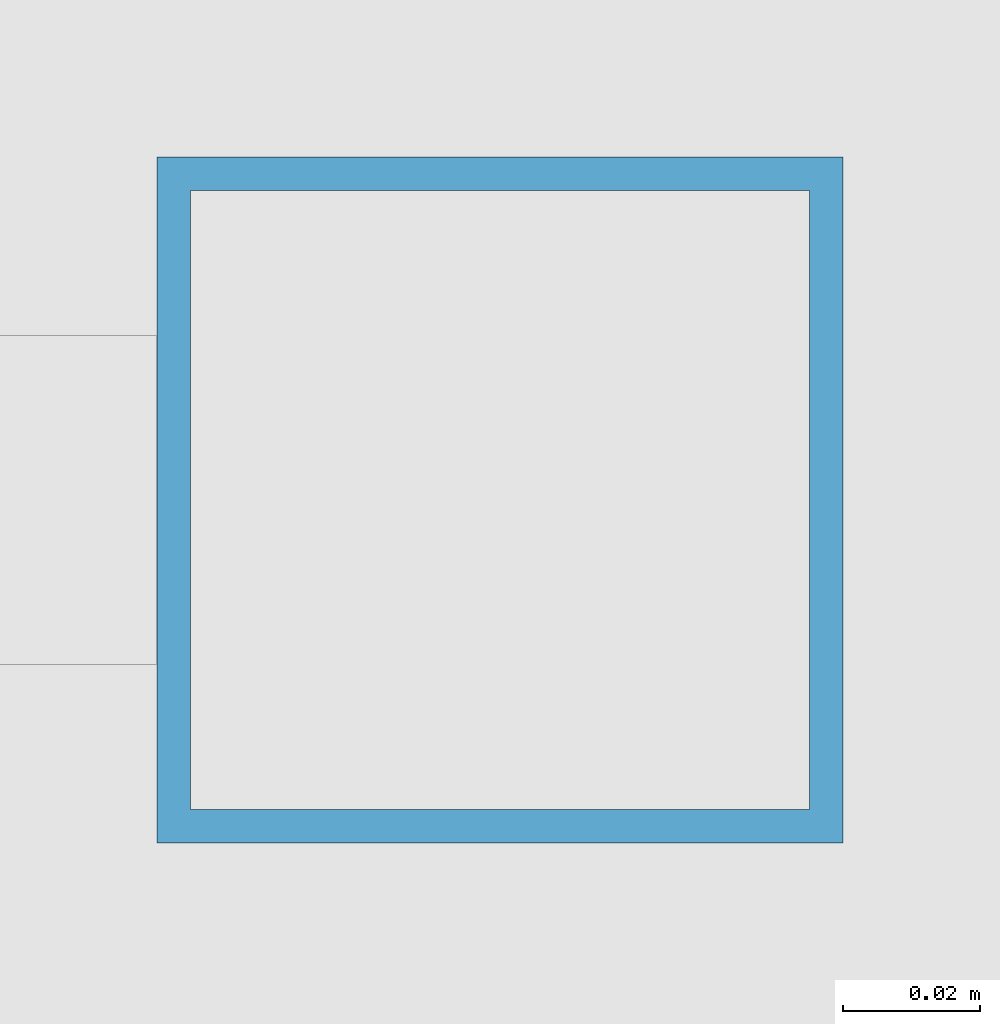
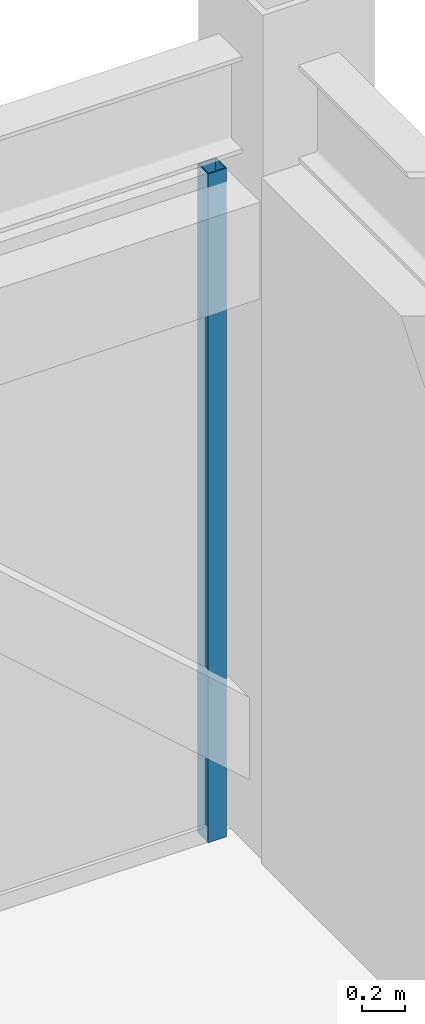
# One storey, part 22 of 32: 1 member, 1 element without a shape of its own.
"""IFC4 building model written with IfcOpenShell, lengths in metres."""

import ifcopenshell
import ifcopenshell.guid

model = None  # the IFC model being written
_history = None  # IfcOwnerHistory: only IFC2X3 demands one
_inside = {}  # id of a spatial element -> (the spatial element, [elements in it])
_under = {}  # id of a project, library or spatial element -> (it, [spatial elements below it])
_declared = {}  # id of a project -> (the project, [libraries it declares])
_typed = {}  # id of a type object -> (the type object, [elements of that type])
_made_of = {}  # id of a material, layer set ... -> (it, [elements and type objects made of it])


def new_model(schema):
    """Start an empty IFC model of exactly this schema.

    Asked for "IFC4X3", IfcOpenShell would pick the latest addendum, in which some entities
    have other attributes; the version numbers below select the first issue.
    IFC2X3 requires an IfcOwnerHistory on every rooted entity: one is made here for all.
    """
    global model, _history
    if schema == "IFC4X3":
        model = ifcopenshell.file(schema_version=(4, 3, 0, 0))
    else:
        model = ifcopenshell.file(schema=schema)
    _inside.clear()
    _under.clear()
    _declared.clear()
    _typed.clear()
    _made_of.clear()
    _history = None
    if model.schema == "IFC2X3":
        org = make("IfcOrganization", Name="unknown")
        user = make(
            "IfcPersonAndOrganization",
            ThePerson=make("IfcPerson", FamilyName="unknown"),
            TheOrganization=org,
        )
        app = make(
            "IfcApplication",
            ApplicationDeveloper=org,
            Version="unknown",
            ApplicationFullName="unknown",
            ApplicationIdentifier="unknown",
        )
        _history = make(
            "IfcOwnerHistory",
            OwningUser=user,
            OwningApplication=app,
            ChangeAction="ADDED",
            CreationDate=0,
        )
    return model


def make(cls, **values):
    """One entity of the class cls with the attributes given. An attribute that is None is left unset."""
    return model.create_entity(
        cls, **{name: value for name, value in values.items() if value is not None}
    )


def rooted(cls, **values):
    """An entity with a GlobalId (a new one), such as an element, a storey or a relation."""
    return make(cls, GlobalId=ifcopenshell.guid.new(), OwnerHistory=_history, **values)


def si_unit(unit_type, name, prefix=None):
    """IfcSIUnit, for example si_unit("LENGTHUNIT", "METRE", prefix="MILLI")."""
    return make("IfcSIUnit", UnitType=unit_type, Prefix=prefix, Name=name)


def assignment(units):
    """IfcUnitAssignment: the units of a project."""
    return None if units is None else make("IfcUnitAssignment", Units=units)


def point(xyz):
    """IfcCartesianPoint."""
    return None if xyz is None else make("IfcCartesianPoint", Coordinates=xyz)


def direction(xyz):
    """IfcDirection."""
    return None if xyz is None else make("IfcDirection", DirectionRatios=xyz)


def frame(location, z_axis=None, x_axis=None):
    """IfcAxis2Placement3D, a coordinate frame: its origin and axes. An axis left out is left unset."""
    return make(
        "IfcAxis2Placement3D",
        Location=point(location),
        Axis=direction(z_axis),
        RefDirection=direction(x_axis),
    )


def frame_2d(location, x_axis=None):
    """IfcAxis2Placement2D, a coordinate frame in the plane: its origin and x axis."""
    return make(
        "IfcAxis2Placement2D", Location=point(location), RefDirection=direction(x_axis)
    )


def origin():
    """The frame at (0, 0, 0) with its axes left unset."""
    return frame((0.0, 0.0, 0.0))


def origin_2d():
    """The frame at (0, 0) in the plane with its x axis left unset."""
    return frame_2d((0.0, 0.0))


def place(relative_to, where):
    """IfcLocalPlacement: puts the frame where relative to a parent placement (None: the world)."""
    return make(
        "IfcLocalPlacement", PlacementRelTo=relative_to, RelativePlacement=where
    )


def context(
    kind, dimensions, precision=None, world=None, true_north=None, identifier=None
):
    """IfcGeometricRepresentationContext, for example the 3D "Model" context."""
    return make(
        "IfcGeometricRepresentationContext",
        ContextIdentifier=identifier,
        ContextType=kind,
        CoordinateSpaceDimension=dimensions,
        Precision=precision,
        WorldCoordinateSystem=world,
        TrueNorth=true_north,
    )


def subcontext(parent, identifier, kind, view, scale=None):
    """IfcGeometricRepresentationSubContext, for example "Body" below "Model"."""
    return make(
        "IfcGeometricRepresentationSubContext",
        ContextIdentifier=identifier,
        ContextType=kind,
        ParentContext=parent,
        TargetScale=scale,
        TargetView=view,
    )


def project(units=None, contexts=None):
    """IfcProject with its units and contexts."""
    return rooted(
        "IfcProject",
        Name="project",
        RepresentationContexts=contexts,
        UnitsInContext=assignment(units),
    )


def spatial(cls, under=None, at=None, **own):
    """A site, building, storey or space (cls), placed at a placement, below another one or the project."""
    s = rooted(cls, ObjectPlacement=at, **own)
    if under is not None:
        _under.setdefault(under.id(), (under, []))[1].append(s)
    return s


def profile(cls, at=None, kind="AREA", **sizes):
    """A parametric profile (cls). Its sizes go by their IFC names, for example OverallWidth=200.0."""
    return make(cls, ProfileType=kind, Position=at, **sizes)


def hollow_rectangle(**sizes):
    """IfcRectangleHollowProfileDef."""
    return profile("IfcRectangleHollowProfileDef", **sizes)


def extrude(swept, where, along, depth):
    """IfcExtrudedAreaSolid: the profile swept, set in the frame where, extruded along a direction by depth."""
    return make(
        "IfcExtrudedAreaSolid",
        SweptArea=swept,
        Position=where,
        ExtrudedDirection=direction(along),
        Depth=depth,
    )


def shape(context_of_items, identifier, shape_type, items):
    """IfcShapeRepresentation: the items that make up one representation, for example the "Body"."""
    return make(
        "IfcShapeRepresentation",
        ContextOfItems=context_of_items,
        RepresentationIdentifier=identifier,
        RepresentationType=shape_type,
        Items=items,
    )


def source(mapping_origin, context_of_items, identifier, shape_type, items):
    """IfcRepresentationMap: a shape defined once, which mapped items show again and again."""
    return make(
        "IfcRepresentationMap",
        MappingOrigin=mapping_origin,
        MappedRepresentation=shape(context_of_items, identifier, shape_type, items),
    )


def transform(
    local_origin,
    x_axis=None,
    y_axis=None,
    z_axis=None,
    scale=None,
    scale2=None,
    scale3=None,
    uniform=True,
):
    """IfcCartesianTransformationOperator3D, or its non-uniform kind. x_axis, y_axis, z_axis: its Axis1, 2, 3."""
    if uniform:
        return make(
            "IfcCartesianTransformationOperator3D",
            Axis1=direction(x_axis),
            Axis2=direction(y_axis),
            LocalOrigin=point(local_origin),
            Scale=scale,
            Axis3=direction(z_axis),
        )
    return make(
        "IfcCartesianTransformationOperator3DnonUniform",
        Axis1=direction(x_axis),
        Axis2=direction(y_axis),
        LocalOrigin=point(local_origin),
        Scale=scale,
        Axis3=direction(z_axis),
        Scale2=scale2,
        Scale3=scale3,
    )


def mapped(mapping_source, mapping_target):
    """IfcMappedItem: shows the shape of a source again, moved by a transform."""
    return make(
        "IfcMappedItem", MappingSource=mapping_source, MappingTarget=mapping_target
    )


def material(Name=None, Category=None):
    """IfcMaterial."""
    return make("IfcMaterial", Name=Name, Category=Category)


def material_profile(
    of_material, cross_section, Name=None, Category=None, Priority=None
):
    """IfcMaterialProfile: a cross section and its material."""
    return make(
        "IfcMaterialProfile",
        Name=Name,
        Material=of_material,
        Profile=cross_section,
        Priority=Priority,
        Category=Category,
    )


def profile_set(profiles, Name=None, composite=None):
    """IfcMaterialProfileSet."""
    return make(
        "IfcMaterialProfileSet",
        Name=Name,
        MaterialProfiles=profiles,
        CompositeProfile=composite,
    )


def made_of(thing, what):
    """Note that an element or type object is made of a material, layer set ...; save() writes the relation."""
    if what is not None:
        _made_of.setdefault(what.id(), (what, []))[1].append(thing)
    return thing


def type_object(cls, material=None, **own):
    """A type object (cls), such as IfcWallType, which elements share."""
    return made_of(rooted(cls, **own), material)


def element(
    cls,
    number,
    at=None,
    inside=None,
    cuts=None,
    type_object=None,
    material=None,
    context=None,
    identifier="Body",
    shape_type=None,
    held_by="IfcProductDefinitionShape",
    body=None,
    shapes=None,
    **own,
):
    """One element of the class cls, such as IfcWall. Its Tag is "e" and its number.

    at: its placement. inside: the storey or other place that contains it. cuts: it is an
    opening in that element (IfcRelVoidsElement). A single representation is given by context,
    identifier, shape_type and body (its items); several are given by shapes. held_by: the class
    of the entity that holds the representations. save() writes the other relations.
    """
    e = rooted(cls, Tag="e%d" % number, ObjectPlacement=at, **own)
    if body is not None:
        shapes = [shape(context, identifier, shape_type, body)]
    if shapes is not None:
        e.Representation = make(held_by, Representations=shapes)
    if inside is not None:
        _inside.setdefault(inside.id(), (inside, []))[1].append(e)
    if cuts is not None:
        rooted(
            "IfcRelVoidsElement", RelatingBuildingElement=cuts, RelatedOpeningElement=e
        )
    if type_object is not None:
        _typed.setdefault(type_object.id(), (type_object, []))[1].append(e)
    return made_of(e, material)


def aggregate(whole, parts):
    """IfcRelAggregates: a whole, such as a stair, and the parts it consists of."""
    return rooted("IfcRelAggregates", RelatingObject=whole, RelatedObjects=parts)


def save(model, path):
    """Write the relations noted so far, then the file.

    IfcRelAggregates (storeys below a building ...), IfcRelContainedInSpatialStructure (elements
    in a storey), IfcRelDefinesByType, IfcRelAssociatesMaterial and IfcRelDeclares: one each for
    every whole, place, type object, material and project.
    """
    for whole, parts in _under.values():
        aggregate(whole, parts)
    for where, things in _inside.values():
        rooted(
            "IfcRelContainedInSpatialStructure",
            RelatedElements=things,
            RelatingStructure=where,
        )
    for kind, things in _typed.values():
        rooted("IfcRelDefinesByType", RelatedObjects=things, RelatingType=kind)
    for what, things in _made_of.values():
        rooted("IfcRelAssociatesMaterial", RelatedObjects=things, RelatingMaterial=what)
    for by, libraries in _declared.values():
        rooted("IfcRelDeclares", RelatingContext=by, RelatedDefinitions=libraries)
    model.write(path)


model = new_model("IFC4")

# Units and contexts
model_context = context("Model", 3, precision=1e-05, world=origin(), true_north=direction((0.0, 1.0)))
body_context = subcontext(model_context, "Body", "Model", "MODEL_VIEW")
ifc_project = project(units=[si_unit("LENGTHUNIT", "METRE"), si_unit("AREAUNIT", "SQUARE_METRE"), si_unit("VOLUMEUNIT", "CUBIC_METRE"), si_unit("PLANEANGLEUNIT", "RADIAN"), si_unit("MASSUNIT", "GRAM", prefix="KILO")], contexts=[model_context])

# Site, building, storey
site_placement = place(None, origin())
site = spatial("IfcSite", under=ifc_project, at=site_placement, CompositionType="ELEMENT")
building_placement = place(site_placement, origin())
building = spatial("IfcBuilding", under=site, at=building_placement, Name="Khorayat Bourse Tower", CompositionType="ELEMENT")
storey_placement = place(building_placement, frame((0.0, 0.0, 375.5)))
storey = spatial("IfcBuildingStorey", under=building, at=storey_placement, Name="L89", CompositionType="ELEMENT", Elevation=375.5)

# Curtain wall, member
ifc_material = material(Name="Aluminium EN AW-6063 T6", Category="aluminium")
curtain_wall_type = type_object("IfcCurtainWallType", Name="CW-SYS-07", PredefinedType="NOTDEFINED", material=ifc_material)
curtain_wall_placement = place(storey_placement, origin())
curtain_wall = element("IfcCurtainWall", 1, at=curtain_wall_placement, inside=storey, type_object=curtain_wall_type, Name="L89 Curtain Wall CW-L89-N2", PredefinedType="NOTDEFINED")
ifc_material_profile = material_profile(ifc_material, hollow_rectangle(XDim=0.10009765625, YDim=0.10009765625, WallThickness=0.0048828125, at=origin_2d()), Name="ALU 100x100x5")
ifc_profile_set = profile_set([ifc_material_profile], Name="Aluminium EN AW-6063 T6")
member_type = type_object("IfcMemberType", Name="CWM-LANTERN-100", PredefinedType="MULLION", material=ifc_profile_set)
shared_shape = source(origin(), body_context, "Body", "SweptSolid", [
    extrude(hollow_rectangle(XDim=0.10009765625, YDim=0.10009765625, WallThickness=0.0048828125, at=origin_2d()), origin(), (0.0, 0.0, 1.0), 3.800048828125),
])
member_placement = place(storey_placement, frame((17.60009765625, 24.0, 0.0), z_axis=(0.0, 0.0, 1.0), x_axis=(0.0, 1.0, 0.0)))
member = element("IfcMember", 2, at=member_placement, type_object=member_type, Name="CW-L89-N2 Vertical Mullion 3", PredefinedType="MULLION", context=body_context, shape_type="MappedRepresentation", body=[
    mapped(shared_shape, transform((0.0, 0.0, 0.0), scale=1.0)),
])
aggregate(curtain_wall, [member])

save(model, "model.ifc")
